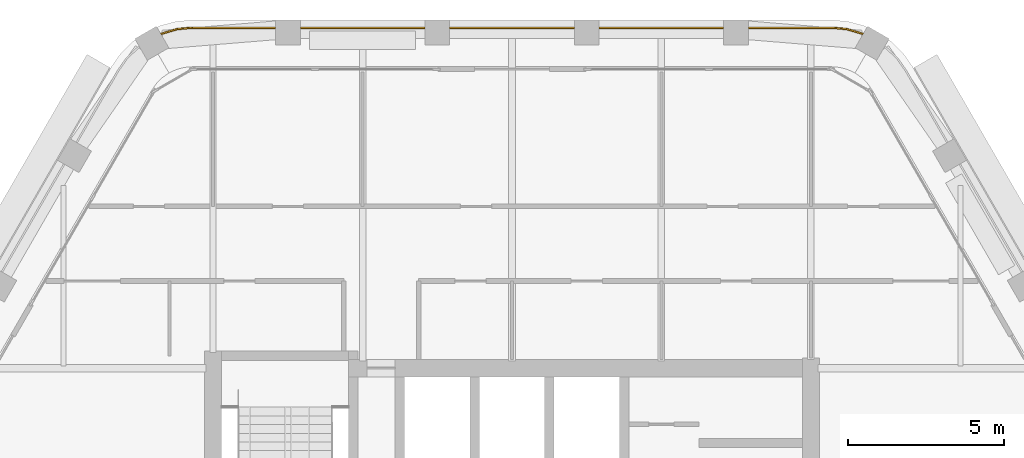
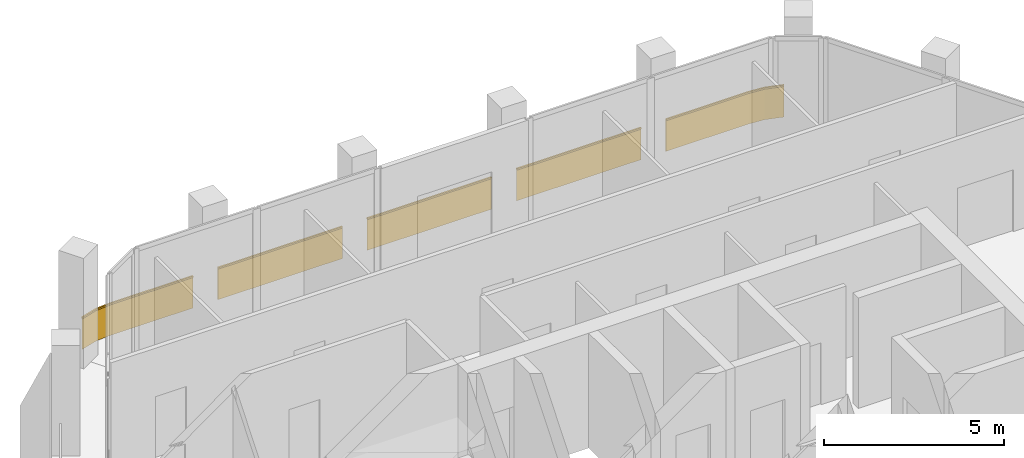
# One storey, part 14 of 14: 1 railing.
"""IFC4 building model written with IfcOpenShell, lengths in metres."""

from ifc_helpers import new_model, si_unit, direction, frame, frame_2d, origin, origin_2d, place, context, subcontext, project, spatial, rectangle, extrude, material, type_object, element, save


model = new_model("IFC4")

# Units and contexts
model_context = context("Model", 3, precision=1e-05, world=origin(), true_north=direction((0.0, 1.0)))
body_context = subcontext(model_context, "Body", "Model", "MODEL_VIEW")
ifc_project = project(units=[si_unit("LENGTHUNIT", "METRE"), si_unit("AREAUNIT", "SQUARE_METRE"), si_unit("VOLUMEUNIT", "CUBIC_METRE"), si_unit("PLANEANGLEUNIT", "RADIAN"), si_unit("MASSUNIT", "GRAM", prefix="KILO")], contexts=[model_context])

# Site, building, storey
site_placement = place(None, origin())
site = spatial("IfcSite", under=ifc_project, at=site_placement, CompositionType="ELEMENT")
building_placement = place(site_placement, origin())
building = spatial("IfcBuilding", under=site, at=building_placement, Name="Kolab Exchange Tower", CompositionType="ELEMENT")
storey_placement = place(building_placement, frame((0.0, 0.0, 246.199951171875)))
storey = spatial("IfcBuildingStorey", under=building, at=storey_placement, Name="L54", CompositionType="ELEMENT", Elevation=246.199951171875)

# Railing
ifc_material = material(Name="Steel S235", Category="steel")
railing_type = type_object("IfcRailingType", Name="GUARD 1100 GLASS BALUSTRADE AND STEEL TOP RAIL", PredefinedType="GUARDRAIL", material=ifc_material)
railing_placement = place(storey_placement, frame((11.280517578125, 20.335205078125, 0.0)))
element("IfcRailing", 1, at=railing_placement, inside=storey, type_object=railing_type, Name="Guard", PredefinedType="GUARDRAIL", context=body_context, shape_type="SweptSolid", body=[
    extrude(rectangle(XDim=0.05, YDim=0.05, at=origin_2d()), frame((0.0, 0.0, 1.0751953125), z_axis=(-0.959212061764, 0.282687496304, 0.0), x_axis=(-0.282687496304, -0.959212061764, 0.0)), (0.0, 0.0, 1.0), 0.557861328125),
    extrude(rectangle(XDim=0.012, YDim=1.05009765625, at=frame_2d((0.0, 0.525146484375))), frame((0.0, 0.0, 0.0), z_axis=(-0.959212061764, 0.282687496304, 0.0), x_axis=(-0.282687496304, -0.959212061764, 0.0)), (0.0, 0.0, 1.0), 0.557861328125),
    extrude(rectangle(XDim=0.05, YDim=0.05, at=origin_2d()), frame((-0.53515625, 0.15771484375, 1.0751953125), z_axis=(-0.996196482496, 0.087135344505, 0.0), x_axis=(-0.087135344505, -0.996196482496, 0.0)), (0.0, 0.0, 1.0), 0.47900390625),
    extrude(rectangle(XDim=0.012, YDim=1.05009765625, at=frame_2d((0.0, 0.525146484375))), frame((-0.53515625, 0.15771484375, 0.0), z_axis=(-0.996196482496, 0.087135344505, 0.0), x_axis=(-0.087135344505, -0.996196482496, 0.0)), (0.0, 0.0, 1.0), 0.47900390625),
    extrude(rectangle(XDim=0.05, YDim=0.05, at=origin_2d()), frame((-1.012451171875, 0.199462890625, 1.0751953125), z_axis=(-1.0, 0.0, 0.0), x_axis=(0.0, -1.0, 0.0)), (0.0, 0.0, 1.0), 2.66796875),
    extrude(rectangle(XDim=0.012, YDim=1.05009765625, at=frame_2d((0.0, 0.525146484375))), frame((-1.012451171875, 0.199462890625, 0.0), z_axis=(-1.0, 0.0, 0.0), x_axis=(0.0, -1.0, 0.0)), (0.0, 0.0, 1.0), 2.66796875),
    extrude(rectangle(XDim=0.05, YDim=0.05, at=origin_2d()), frame((-4.48046875, 0.199462890625, 1.0751953125), z_axis=(-1.0, 0.0, 0.0), x_axis=(0.0, -1.0, 0.0)), (0.0, 0.0, 1.0), 4.0),
    extrude(rectangle(XDim=0.012, YDim=1.05009765625, at=frame_2d((0.0, 0.525146484375))), frame((-4.48046875, 0.199462890625, 0.0), z_axis=(-1.0, 0.0, 0.0), x_axis=(0.0, -1.0, 0.0)), (0.0, 0.0, 1.0), 4.0),
    extrude(rectangle(XDim=0.05, YDim=0.05, at=origin_2d()), frame((-9.280517578125, 0.199462890625, 1.0751953125), z_axis=(-1.0, 0.0, 0.0), x_axis=(0.0, -1.0, 0.0)), (0.0, 0.0, 1.0), 4.0),
    extrude(rectangle(XDim=0.012, YDim=1.05009765625, at=frame_2d((0.0, 0.525146484375))), frame((-9.280517578125, 0.199462890625, 0.0), z_axis=(-1.0, 0.0, 0.0), x_axis=(0.0, -1.0, 0.0)), (0.0, 0.0, 1.0), 4.0),
    extrude(rectangle(XDim=0.05, YDim=0.05, at=origin_2d()), frame((-14.08056640625, 0.199462890625, 1.0751953125), z_axis=(-1.0, 0.0, 0.0), x_axis=(0.0, -1.0, 0.0)), (0.0, 0.0, 1.0), 4.0),
    extrude(rectangle(XDim=0.012, YDim=1.05009765625, at=frame_2d((0.0, 0.525146484375))), frame((-14.08056640625, 0.199462890625, 0.0), z_axis=(-1.0, 0.0, 0.0), x_axis=(0.0, -1.0, 0.0)), (0.0, 0.0, 1.0), 4.0),
    extrude(rectangle(XDim=0.05, YDim=0.05, at=origin_2d()), frame((-18.880615234375, 0.199462890625, 1.0751953125), z_axis=(-1.0, 0.0, 0.0), x_axis=(0.0, -1.0, 0.0)), (0.0, 0.0, 1.0), 2.66796875),
    extrude(rectangle(XDim=0.012, YDim=1.05009765625, at=frame_2d((0.0, 0.525146484375))), frame((-18.880615234375, 0.199462890625, 0.0), z_axis=(-1.0, 0.0, 0.0), x_axis=(0.0, -1.0, 0.0)), (0.0, 0.0, 1.0), 2.66796875),
    extrude(rectangle(XDim=0.05, YDim=0.05, at=origin_2d()), frame((-21.548583984375, 0.199462890625, 1.0751953125), z_axis=(-0.996196482496, -0.087135344505, 0.0), x_axis=(0.087135344505, -0.996196482496, 0.0)), (0.0, 0.0, 1.0), 0.47900390625),
    extrude(rectangle(XDim=0.012, YDim=1.05009765625, at=frame_2d((0.0, 0.525146484375))), frame((-21.548583984375, 0.199462890625, 0.0), z_axis=(-0.996196482496, -0.087135344505, 0.0), x_axis=(0.087135344505, -0.996196482496, 0.0)), (0.0, 0.0, 1.0), 0.47900390625),
    extrude(rectangle(XDim=0.05, YDim=0.05, at=origin_2d()), frame((-22.02587890625, 0.15771484375, 1.0751953125), z_axis=(-0.959212061764, -0.282687496304, 0.0), x_axis=(0.282687496304, -0.959212061764, 0.0)), (0.0, 0.0, 1.0), 0.557861328125),
    extrude(rectangle(XDim=0.012, YDim=1.05009765625, at=frame_2d((0.0, 0.525146484375))), frame((-22.02587890625, 0.15771484375, 0.0), z_axis=(-0.959212061764, -0.282687496304, 0.0), x_axis=(0.282687496304, -0.959212061764, 0.0)), (0.0, 0.0, 1.0), 0.557861328125),
])

save(model, "model.ifc")
